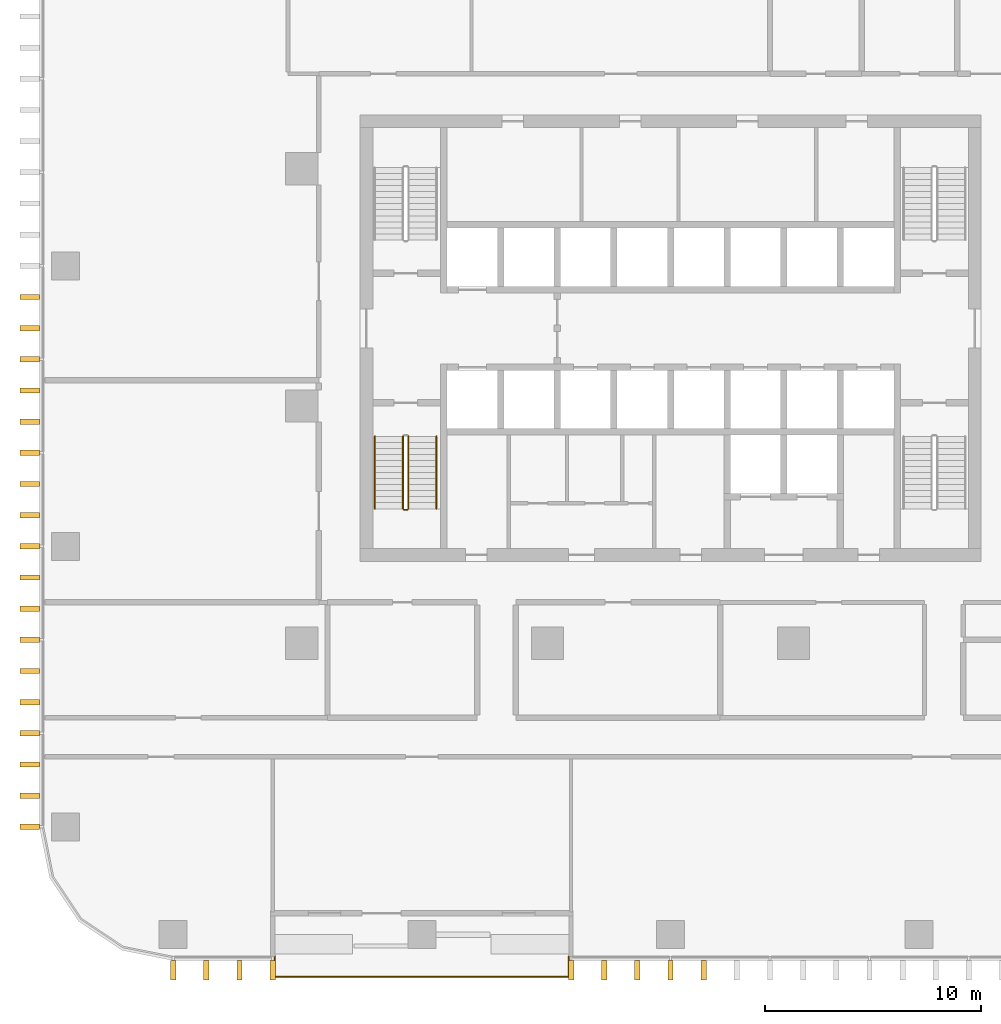
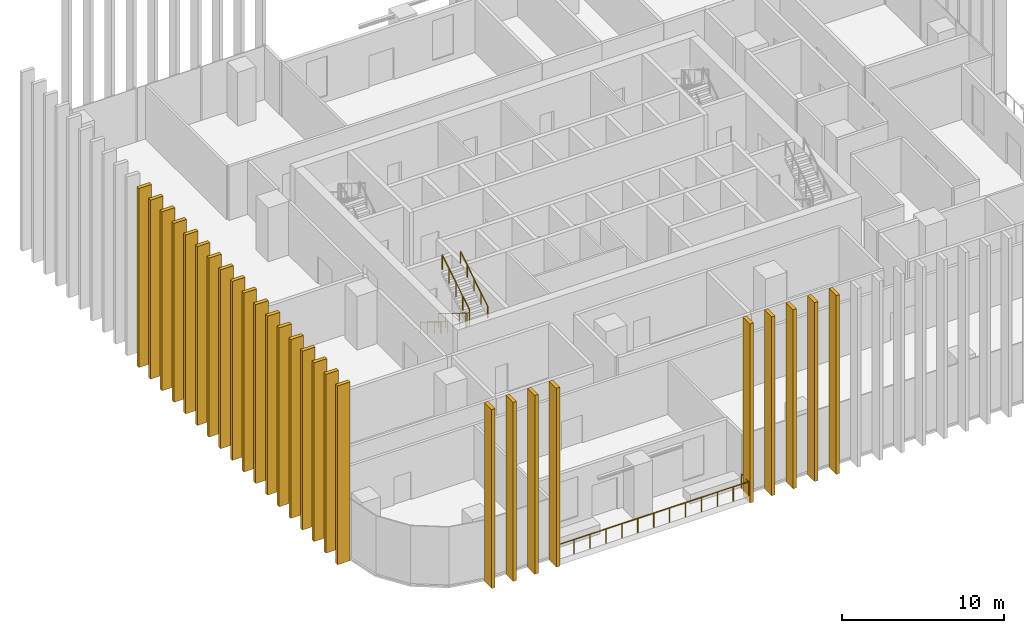
# One storey, part 12 of 17: 27 shading devices, 5 railings.
"""IFC4 building model written with IfcOpenShell, lengths in metres."""

from ifc_helpers import new_model, si_unit, direction, frame, origin, origin_2d, place, context, subcontext, project, spatial, rectangle, circle, extrude, material, type_object, element, save


model = new_model("IFC4")

# Units and contexts
model_context = context("Model", 3, precision=1e-05, world=origin(), true_north=direction((0.0, 1.0)))
body_context = subcontext(model_context, "Body", "Model", "MODEL_VIEW")
ifc_project = project(units=[si_unit("LENGTHUNIT", "METRE"), si_unit("AREAUNIT", "SQUARE_METRE"), si_unit("VOLUMEUNIT", "CUBIC_METRE"), si_unit("PLANEANGLEUNIT", "RADIAN"), si_unit("MASSUNIT", "GRAM", prefix="KILO")], contexts=[model_context])

# Site, building, storey
site_placement = place(None, origin())
site = spatial("IfcSite", under=ifc_project, at=site_placement, CompositionType="ELEMENT")
building_placement = place(site_placement, origin())
building = spatial("IfcBuilding", under=site, at=building_placement, Name="Mopane Tessera Tower", CompositionType="ELEMENT")
storey_placement = place(building_placement, frame((0.0, 0.0, 121.60009765625)))
storey = spatial("IfcBuildingStorey", under=building, at=storey_placement, Name="L24", CompositionType="ELEMENT", Elevation=121.60009765625)

# Shading devices
ifc_material_1 = material(Name="Glazed ceramic tile")
shading_device_type = type_object("IfcShadingDeviceType", Name="Ceramic tile fin 900 x 250 mm", PredefinedType="USERDEFINED", material=ifc_material_1)
for number, where, z_axis, x_axis, name in (
    (1, (-23.050048828125, -26.14990234375, -0.4501953125), (0.0, 0.0, 1.0), (1.0, 0.0, 0.0), "e:fin:L24:S:0:0"),
    (2, (-21.513427734375, -26.14990234375, -0.4501953125), (0.0, 0.0, 1.0), (1.0, 0.0, 0.0), "e:fin:L24:S:0:1"),
    (3, (-19.9765625, -26.14990234375, -0.4501953125), (0.0, 0.0, 1.0), (1.0, 0.0, 0.0), "e:fin:L24:S:0:2"),
    (4, (-18.43994140625, -26.14990234375, -0.4501953125), (0.0, 0.0, 1.0), (1.0, 0.0, 0.0), "e:fin:L24:S:0:3"),
    (5, (-4.610107421875, -26.14990234375, -0.4501953125), (0.0, 0.0, 1.0), (1.0, 0.0, 0.0), "e:fin:L24:S:4:0"),
    (6, (-3.0732421875, -26.14990234375, -0.4501953125), (0.0, 0.0, 1.0), (1.0, 0.0, 0.0), "e:fin:L24:S:4:1"),
    (7, (-1.53662109375, -26.14990234375, -0.4501953125), (0.0, 0.0, 1.0), (1.0, 0.0, 0.0), "e:fin:L24:S:4:2"),
    (8, (0.0, -26.14990234375, -0.4501953125), (0.0, 0.0, 1.0), (1.0, 0.0, 0.0), "e:fin:L24:S:5:0"),
    (9, (1.53662109375, -26.14990234375, -0.4501953125), (0.0, 0.0, 1.0), (1.0, 0.0, 0.0), "e:fin:L24:S:5:1"),
    (10, (-29.699951171875, 5.0556640625, -0.4501953125), (0.0, 0.0, 1.0), (0.0, -1.0, 0.0), "e:fin:L24:W:3:1"),
    (11, (-29.699951171875, 3.611083984375, -0.4501953125), (0.0, 0.0, 1.0), (0.0, -1.0, 0.0), "e:fin:L24:W:3:2"),
    (12, (-29.699951171875, 2.166748046875, -0.4501953125), (0.0, 0.0, 1.0), (0.0, -1.0, 0.0), "e:fin:L24:W:4:0"),
    (13, (-29.699951171875, 0.72216796875, -0.4501953125), (0.0, 0.0, 1.0), (0.0, -1.0, 0.0), "e:fin:L24:W:4:1"),
    (14, (-29.699951171875, -0.72216796875, -0.4501953125), (0.0, 0.0, 1.0), (0.0, -1.0, 0.0), "e:fin:L24:W:4:2"),
    (15, (-29.699951171875, -2.166748046875, -0.4501953125), (0.0, 0.0, 1.0), (0.0, -1.0, 0.0), "e:fin:L24:W:5:0"),
    (16, (-29.699951171875, -3.611083984375, -0.4501953125), (0.0, 0.0, 1.0), (0.0, -1.0, 0.0), "e:fin:L24:W:5:1"),
    (17, (-29.699951171875, -5.0556640625, -0.4501953125), (0.0, 0.0, 1.0), (0.0, -1.0, 0.0), "e:fin:L24:W:5:2"),
    (18, (-29.699951171875, -6.5, -0.4501953125), (0.0, 0.0, 1.0), (0.0, -1.0, 0.0), "e:fin:L24:W:6:0"),
    (19, (-29.699951171875, -7.9443359375, -0.4501953125), (0.0, 0.0, 1.0), (0.0, -1.0, 0.0), "e:fin:L24:W:6:1"),
    (20, (-29.699951171875, -9.388916015625, -0.4501953125), (0.0, 0.0, 1.0), (0.0, -1.0, 0.0), "e:fin:L24:W:6:2"),
    (21, (-29.699951171875, -10.833251953125, -0.4501953125), (0.0, 0.0, 1.0), (0.0, -1.0, 0.0), "e:fin:L24:W:7:0"),
    (22, (-29.699951171875, -12.27783203125, -0.4501953125), (0.0, 0.0, 1.0), (0.0, -1.0, 0.0), "e:fin:L24:W:7:1"),
    (23, (-29.699951171875, -13.72216796875, -0.4501953125), (0.0, 0.0, 1.0), (0.0, -1.0, 0.0), "e:fin:L24:W:7:2"),
    (24, (-29.699951171875, -15.166748046875, -0.4501953125), (0.0, 0.0, 1.0), (0.0, -1.0, 0.0), "e:fin:L24:W:8:0"),
    (25, (-29.699951171875, -16.611083984375, -0.4501953125), (0.0, 0.0, 1.0), (0.0, -1.0, 0.0), "e:fin:L24:W:8:1"),
    (26, (-29.699951171875, -18.0556640625, -0.4501953125), (0.0, 0.0, 1.0), (0.0, -1.0, 0.0), "e:fin:L24:W:8:2"),
    (27, (-29.699951171875, -19.5, -0.4501953125), (0.0, 0.0, 1.0), (0.0, -1.0, 0.0), "e:fin:L24:W:8:3"),
):
    element("IfcShadingDevice", number, at=place(storey_placement, frame(where, z_axis=z_axis, x_axis=x_axis)), inside=storey, type_object=shading_device_type, Name=name, ObjectType="FIN", PredefinedType="USERDEFINED", context=body_context, shape_type="SweptSolid", body=[
        extrude(rectangle(XDim=0.25, YDim=0.89990234375, at=origin_2d()), origin(), (0.0, 0.0, 1.0), 13.5),
    ])

# Railings
ifc_material_2 = material(Name="Powder-coated steel balustrade", Category="steel")
railing_type_1 = type_object("IfcRailingType", Name="Escape stair guard 1100 mm", PredefinedType="GUARDRAIL", material=ifc_material_2)
railing_1_placement = place(storey_placement, frame((-12.39990234375, -1.39990234375, 0.173095703125)))
element("IfcRailing", 28, at=railing_1_placement, inside=storey, type_object=railing_type_1, Name="L24 ST1 stair guard 1", PredefinedType="GUARDRAIL", context=body_context, shape_type="SweptSolid", body=[
    extrude(circle(Radius=0.02392578125, at=origin_2d()), frame((0.0, 0.0, 1.076171875), z_axis=(0.0, -0.850623216509, 0.525775754039), x_axis=(1.0, 0.0, 0.0)), (0.0, 0.0, 1.0), 3.9501953125),
    extrude(circle(Radius=0.02392578125, at=origin_2d()), frame((0.0, -3.360107421875, 3.15283203125), z_axis=(0.705375805398, -0.708833529934, 0.0), x_axis=(0.708833529934, 0.705375805398, 0.0)), (0.0, 0.0, 1.0), 0.070556640625),
    extrude(circle(Radius=0.02392578125, at=origin_2d()), frame((0.0498046875, -3.41015625, 3.15283203125), z_axis=(1.0, 0.0, 0.0), x_axis=(0.0, 1.0, 0.0)), (0.0, 0.0, 1.0), 0.150146484375),
    extrude(circle(Radius=0.02099609375, at=origin_2d()), origin(), (0.0, 0.0, 1.0), 1.052001953125),
    extrude(circle(Radius=0.02099609375, at=origin_2d()), frame((0.0, -0.840087890625, 0.519287109375)), (0.0, 0.0, 1.0), 1.052001953125),
    extrude(circle(Radius=0.02099609375, at=origin_2d()), frame((0.0, -1.68017578125, 1.03857421875)), (0.0, 0.0, 1.0), 1.052001953125),
    extrude(circle(Radius=0.02099609375, at=origin_2d()), frame((0.0, -2.52001953125, 1.5576171875)), (0.0, 0.0, 1.0), 1.052001953125),
    extrude(circle(Radius=0.02099609375, at=origin_2d()), frame((0.0, -3.360107421875, 2.076904296875)), (0.0, 0.0, 1.0), 1.052001953125),
    extrude(circle(Radius=0.02099609375, at=origin_2d()), frame((0.0498046875, -3.41015625, 2.076904296875)), (0.0, 0.0, 1.0), 1.052001953125),
    extrude(circle(Radius=0.02099609375, at=origin_2d()), frame((0.199951171875, -3.41015625, 2.076904296875)), (0.0, 0.0, 1.0), 1.052001953125),
])
railing_2_placement = place(storey_placement, frame((-12.14990234375, -4.760009765625, 2.423095703125)))
element("IfcRailing", 29, at=railing_2_placement, inside=storey, type_object=railing_type_1, Name="L24 ST1 stair guard 2", PredefinedType="GUARDRAIL", context=body_context, shape_type="SweptSolid", body=[
    extrude(circle(Radius=0.02392578125, at=origin_2d()), frame((0.0, 0.0, 1.076171875), z_axis=(0.0, 0.850623216509, 0.525775754039), x_axis=(-1.0, 0.0, 0.0)), (0.0, 0.0, 1.0), 3.9501953125),
    extrude(circle(Radius=0.02099609375, at=origin_2d()), origin(), (0.0, 0.0, 1.0), 1.052001953125),
    extrude(circle(Radius=0.02099609375, at=origin_2d()), frame((0.0, 0.840087890625, 0.519287109375)), (0.0, 0.0, 1.0), 1.052001953125),
    extrude(circle(Radius=0.02099609375, at=origin_2d()), frame((0.0, 1.68017578125, 1.03857421875)), (0.0, 0.0, 1.0), 1.052001953125),
    extrude(circle(Radius=0.02099609375, at=origin_2d()), frame((0.0, 2.52001953125, 1.5576171875)), (0.0, 0.0, 1.0), 1.052001953125),
    extrude(circle(Radius=0.02099609375, at=origin_2d()), frame((0.0, 3.360107421875, 2.076904296875)), (0.0, 0.0, 1.0), 1.052001953125),
])
ifc_material_3 = material(Name="Powder-coated steel balustrade", Category="steel")
railing_type_2 = type_object("IfcRailingType", Name="Escape stair handrail 900 mm", PredefinedType="HANDRAIL", material=ifc_material_3)
railing_3_placement = place(storey_placement, frame((-13.699951171875, -1.39990234375, 0.173095703125)))
element("IfcRailing", 30, at=railing_3_placement, inside=storey, type_object=railing_type_2, Name="L24 ST1 stair handrail 1", PredefinedType="HANDRAIL", context=body_context, shape_type="SweptSolid", body=[
    extrude(circle(Radius=0.02392578125, at=origin_2d()), frame((0.0, 0.0, 0.8759765625), z_axis=(0.0, -0.850623216509, 0.525775754039), x_axis=(1.0, 0.0, 0.0)), (0.0, 0.0, 1.0), 3.9501953125),
    extrude(circle(Radius=0.02099609375, at=origin_2d()), origin(), (0.0, 0.0, 1.0), 0.851806640625),
    extrude(circle(Radius=0.02099609375, at=origin_2d()), frame((0.0, -0.840087890625, 0.519287109375)), (0.0, 0.0, 1.0), 0.851806640625),
    extrude(circle(Radius=0.02099609375, at=origin_2d()), frame((0.0, -1.68017578125, 1.03857421875)), (0.0, 0.0, 1.0), 0.851806640625),
    extrude(circle(Radius=0.02099609375, at=origin_2d()), frame((0.0, -2.52001953125, 1.5576171875)), (0.0, 0.0, 1.0), 0.851806640625),
    extrude(circle(Radius=0.02099609375, at=origin_2d()), frame((0.0, -3.360107421875, 2.076904296875)), (0.0, 0.0, 1.0), 0.851806640625),
])
railing_4_placement = place(storey_placement, frame((-10.85009765625, -4.760009765625, 2.423095703125)))
element("IfcRailing", 31, at=railing_4_placement, inside=storey, type_object=railing_type_2, Name="L24 ST1 stair handrail 2", PredefinedType="HANDRAIL", context=body_context, shape_type="SweptSolid", body=[
    extrude(circle(Radius=0.02392578125, at=origin_2d()), frame((0.0, 0.0, 0.8759765625), z_axis=(0.0, 0.850623216509, 0.525775754039), x_axis=(-1.0, 0.0, 0.0)), (0.0, 0.0, 1.0), 3.9501953125),
    extrude(circle(Radius=0.02099609375, at=origin_2d()), origin(), (0.0, 0.0, 1.0), 0.851806640625),
    extrude(circle(Radius=0.02099609375, at=origin_2d()), frame((0.0, 0.840087890625, 0.519287109375)), (0.0, 0.0, 1.0), 0.851806640625),
    extrude(circle(Radius=0.02099609375, at=origin_2d()), frame((0.0, 1.68017578125, 1.03857421875)), (0.0, 0.0, 1.0), 0.851806640625),
    extrude(circle(Radius=0.02099609375, at=origin_2d()), frame((0.0, 2.52001953125, 1.5576171875)), (0.0, 0.0, 1.0), 0.851806640625),
    extrude(circle(Radius=0.02099609375, at=origin_2d()), frame((0.0, 3.360107421875, 2.076904296875)), (0.0, 0.0, 1.0), 0.851806640625),
])
ifc_material_4 = material(Name="Stainless steel S316", Category="steel")
railing_type_3 = type_object("IfcRailingType", Name="Terrace guard 1100", PredefinedType="GUARDRAIL", material=ifc_material_4)
railing_5_placement = place(storey_placement, frame((-18.340087890625, -25.5, 0.0)))
element("IfcRailing", 32, at=railing_5_placement, inside=storey, type_object=railing_type_3, Name="e:nw:L24:N2:guard", PredefinedType="GUARDRAIL", context=body_context, shape_type="SweptSolid", body=[
    extrude(circle(Radius=0.02392578125, at=origin_2d()), frame((0.0, 0.0, 1.076171875), z_axis=(0.0, -1.0, 0.0), x_axis=(1.0, 0.0, 0.0)), (0.0, 0.0, 1.0), 0.949951171875),
    extrude(circle(Radius=0.02392578125, at=origin_2d()), frame((0.0, -0.949951171875, 1.076171875), z_axis=(1.0, 0.0, 0.0), x_axis=(0.0, 1.0, 0.0)), (0.0, 0.0, 1.0), 13.630126953125),
    extrude(circle(Radius=0.02392578125, at=origin_2d()), frame((13.630126953125, -0.949951171875, 1.076171875), z_axis=(0.0, 1.0, 0.0), x_axis=(-1.0, 0.0, 0.0)), (0.0, 0.0, 1.0), 0.949951171875),
    extrude(circle(Radius=0.02099609375, at=origin_2d()), origin(), (0.0, 0.0, 1.0), 1.052001953125),
    extrude(circle(Radius=0.02099609375, at=origin_2d()), frame((0.0, -0.949951171875, 0.0)), (0.0, 0.0, 1.0), 1.052001953125),
    extrude(circle(Radius=0.02099609375, at=origin_2d()), frame((1.1357421875, -0.949951171875, 0.0)), (0.0, 0.0, 1.0), 1.052001953125),
    extrude(circle(Radius=0.02099609375, at=origin_2d()), frame((2.271728515625, -0.949951171875, 0.0)), (0.0, 0.0, 1.0), 1.052001953125),
    extrude(circle(Radius=0.02099609375, at=origin_2d()), frame((3.407470703125, -0.949951171875, 0.0)), (0.0, 0.0, 1.0), 1.052001953125),
    extrude(circle(Radius=0.02099609375, at=origin_2d()), frame((4.54345703125, -0.949951171875, 0.0)), (0.0, 0.0, 1.0), 1.052001953125),
    extrude(circle(Radius=0.02099609375, at=origin_2d()), frame((5.67919921875, -0.949951171875, 0.0)), (0.0, 0.0, 1.0), 1.052001953125),
    extrude(circle(Radius=0.02099609375, at=origin_2d()), frame((6.81494140625, -0.949951171875, 0.0)), (0.0, 0.0, 1.0), 1.052001953125),
    extrude(circle(Radius=0.02099609375, at=origin_2d()), frame((7.950927734375, -0.949951171875, 0.0)), (0.0, 0.0, 1.0), 1.052001953125),
    extrude(circle(Radius=0.02099609375, at=origin_2d()), frame((9.086669921875, -0.949951171875, 0.0)), (0.0, 0.0, 1.0), 1.052001953125),
    extrude(circle(Radius=0.02099609375, at=origin_2d()), frame((10.22265625, -0.949951171875, 0.0)), (0.0, 0.0, 1.0), 1.052001953125),
    extrude(circle(Radius=0.02099609375, at=origin_2d()), frame((11.3583984375, -0.949951171875, 0.0)), (0.0, 0.0, 1.0), 1.052001953125),
    extrude(circle(Radius=0.02099609375, at=origin_2d()), frame((12.494384765625, -0.949951171875, 0.0)), (0.0, 0.0, 1.0), 1.052001953125),
    extrude(circle(Radius=0.02099609375, at=origin_2d()), frame((13.630126953125, -0.949951171875, 0.0)), (0.0, 0.0, 1.0), 1.052001953125),
    extrude(circle(Radius=0.02099609375, at=origin_2d()), frame((13.630126953125, 0.0, 0.0)), (0.0, 0.0, 1.0), 1.052001953125),
])

save(model, "model.ifc")
